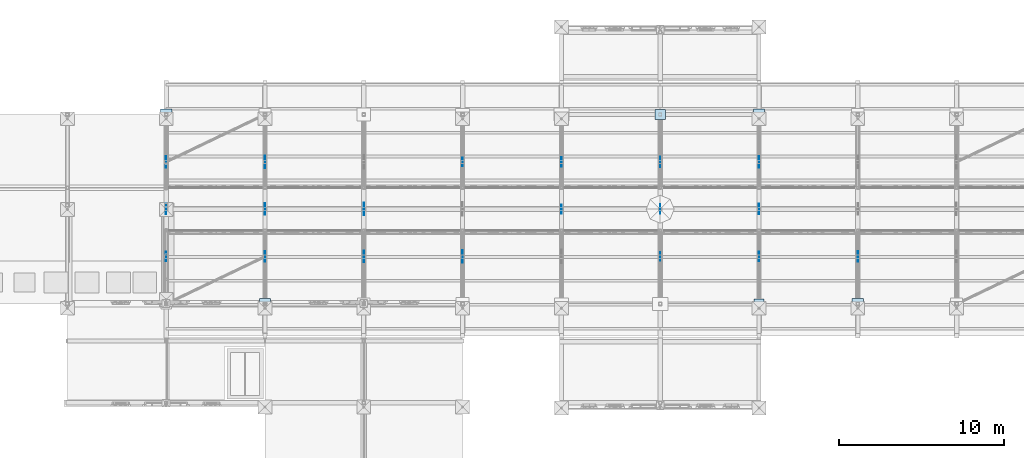
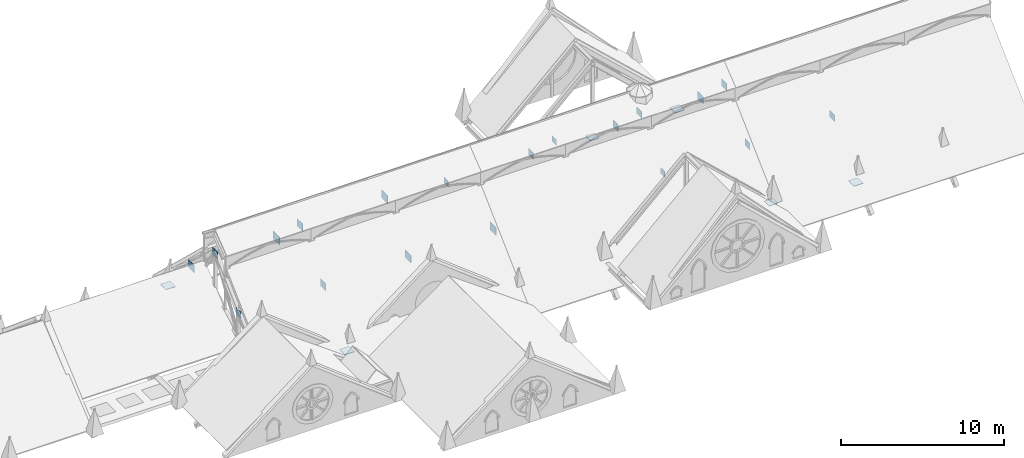
# One storey, part 17 of 33: 25 plates.
"""IFC4 building model written with IfcOpenShell, lengths in metres."""

from ifc_helpers import new_model, si_unit, direction, frame, origin, origin_2d, place, context, subcontext, project, spatial, rectangle, extrude, material, layer, layer_set, type_object, element, save


model = new_model("IFC4")

# Units and contexts
model_context = context("Model", 3, precision=1e-05, world=origin(), true_north=direction((0.0, 1.0)))
body_context = subcontext(model_context, "Body", "Model", "MODEL_VIEW")
ifc_project = project(units=[si_unit("LENGTHUNIT", "METRE"), si_unit("AREAUNIT", "SQUARE_METRE"), si_unit("VOLUMEUNIT", "CUBIC_METRE"), si_unit("PLANEANGLEUNIT", "RADIAN"), si_unit("MASSUNIT", "GRAM", prefix="KILO")], contexts=[model_context])

# Site, building, storey
site_placement = place(None, origin())
site = spatial("IfcSite", under=ifc_project, at=site_placement, CompositionType="ELEMENT")
building_placement = place(site_placement, origin())
building = spatial("IfcBuilding", under=site, at=building_placement, Name="Cumevento Cable Car Station", CompositionType="ELEMENT")
storey_placement = place(building_placement, frame((0.0, 0.0, 22.5)))
storey = spatial("IfcBuildingStorey", under=building, at=storey_placement, Name="RF", CompositionType="ELEMENT", Elevation=22.5)

# Plates
ifc_material_1 = material(Name="Steel ASTM A572 Grade 50", Category="steel")
ifc_layer_1 = layer(ifc_material_1, 0.031982421875)
ifc_layer_set_1 = layer_set([ifc_layer_1], Name="Steel ASTM A572 Grade 50")
plate_type_1 = type_object("IfcPlateType", Name="Steel Plate BP-01 620x620x32", PredefinedType="SHEET", material=ifc_layer_set_1)
for number, where, z_axis, x_axis, name in (
    (1, (94.0, 56.5, 0.60009765625), (0.0, 0.0, 1.0), (1.0, 0.0, 0.0), "Boarding Hall Truss Base Shoe Plate #27"),
    (2, (100.0, 45.0, 0.60009765625), (0.0, 0.0, 1.0), (1.0, 0.0, 0.0), "Boarding Hall Truss Base Shoe Plate #31"),
):
    element("IfcPlate", number, at=place(storey_placement, frame(where, z_axis=z_axis, x_axis=x_axis)), inside=storey, type_object=plate_type_1, Name=name, PredefinedType="SHEET", context=body_context, shape_type="SweptSolid", body=[
        extrude(rectangle(XDim=0.6201171875, YDim=0.6201171875, at=origin_2d()), origin(), (0.0, 0.0, 1.0), 0.031982421875),
    ])
ifc_material_2 = material(Name="Steel ASTM A572 Grade 50", Category="steel")
ifc_layer_2 = layer(ifc_material_2, 0.035888671875)
ifc_layer_set_2 = layer_set([ifc_layer_2], Name="Steel ASTM A572 Grade 50")
plate_type_2 = type_object("IfcPlateType", Name="Steel Plate BP-02 680x680x36", PredefinedType="SHEET", material=ifc_layer_set_2)
for number, where, z_axis, x_axis, name in (
    (3, (64.0, 56.5, 0.0), (0.0, 0.0, 1.0), (1.0, 0.0, 0.0), "Boarding Hall Truss Base Shoe Plate #2"),
    (4, (70.0, 45.0, 0.0), (0.0, 0.0, 1.0), (1.0, 0.0, 0.0), "Boarding Hall Truss Base Shoe Plate #6"),
    (5, (100.0, 56.5, 0.60009765625), (0.0, 0.0, 1.0), (1.0, 0.0, 0.0), "Boarding Hall Truss Base Shoe Plate #32"),
    (6, (106.0, 45.0, 0.0), (0.0, 0.0, 1.0), (1.0, 0.0, 0.0), "Boarding Hall Truss Base Shoe Plate #36"),
):
    element("IfcPlate", number, at=place(storey_placement, frame(where, z_axis=z_axis, x_axis=x_axis)), inside=storey, type_object=plate_type_2, Name=name, PredefinedType="SHEET", context=body_context, shape_type="SweptSolid", body=[
        extrude(rectangle(XDim=0.679931640625, YDim=0.679931640625, at=origin_2d()), origin(), (0.0, 0.0, 1.0), 0.035888671875),
    ])
ifc_material_3 = material(Name="Steel ASTM A572 Grade 50", Category="steel")
ifc_layer_3 = layer(ifc_material_3, 0.02001953125)
ifc_layer_set_3 = layer_set([ifc_layer_3], Name="Steel ASTM A572 Grade 50")
plate_type_3 = type_object("IfcPlateType", Name="Steel Plate GP-01 520x20x440", PredefinedType="USERDEFINED", material=ifc_layer_set_3)
for number, where, z_axis, x_axis, name in (
    (7, (82.0, 53.625, 2.98828125), (0.0, 0.0, 1.0), (0.0, 1.0, 0.0), "Boarding Hall Truss Gusset Plate #20"),
    (8, (88.0, 50.75, 5.716552734375), (0.0, 0.0, 1.0), (0.0, 1.0, 0.0), "Boarding Hall Truss Gusset Plate #24"),
    (9, (94.0, 47.875, 2.98828125), (0.0, 0.0, 1.0), (0.0, 1.0, 0.0), "Boarding Hall Truss Gusset Plate #28"),
):
    element("IfcPlate", number, at=place(storey_placement, frame(where, z_axis=z_axis, x_axis=x_axis)), inside=storey, type_object=plate_type_3, Name=name, ObjectType="GUSSET_PLATE", PredefinedType="USERDEFINED", context=body_context, shape_type="SweptSolid", body=[
        extrude(rectangle(XDim=0.52001953125, YDim=0.02001953125, at=origin_2d()), origin(), (0.0, 0.0, 1.0), 0.43994140625),
    ])
ifc_material_4 = material(Name="Steel ASTM A572 Grade 50", Category="steel")
ifc_layer_4 = layer(ifc_material_4, 0.02197265625)
ifc_layer_set_4 = layer_set([ifc_layer_4], Name="Steel ASTM A572 Grade 50")
plate_type_4 = type_object("IfcPlateType", Name="Steel Plate GP-02 580x22x480", PredefinedType="USERDEFINED", material=ifc_layer_set_4)
for number, where, z_axis, x_axis, name in (
    (10, (64.0, 47.875, 2.96826171875), (0.0, 0.0, 1.0), (0.0, 1.0, 0.0), "Boarding Hall Truss Gusset Plate #3"),
    (11, (88.0, 53.625, 2.96826171875), (0.0, 0.0, 1.0), (0.0, 1.0, 0.0), "Boarding Hall Truss Gusset Plate #25"),
    (12, (94.0, 50.75, 5.696533203125), (0.0, 0.0, 1.0), (0.0, 1.0, 0.0), "Boarding Hall Truss Gusset Plate #29"),
    (13, (100.0, 47.875, 2.96826171875), (0.0, 0.0, 1.0), (0.0, 1.0, 0.0), "Boarding Hall Truss Gusset Plate #33"),
):
    element("IfcPlate", number, at=place(storey_placement, frame(where, z_axis=z_axis, x_axis=x_axis)), inside=storey, type_object=plate_type_4, Name=name, ObjectType="GUSSET_PLATE", PredefinedType="USERDEFINED", context=body_context, shape_type="SweptSolid", body=[
        extrude(rectangle(XDim=0.580078125, YDim=0.02197265625, at=origin_2d()), origin(), (0.0, 0.0, 1.0), 0.47998046875),
    ])
ifc_material_5 = material(Name="Steel ASTM A572 Grade 50", Category="steel")
ifc_layer_5 = layer(ifc_material_5, 0.02392578125)
ifc_layer_set_5 = layer_set([ifc_layer_5], Name="Steel ASTM A572 Grade 50")
plate_type_5 = type_object("IfcPlateType", Name="Steel Plate GP-03 640x24x520", PredefinedType="USERDEFINED", material=ifc_layer_set_5)
for number, where, z_axis, x_axis, name in (
    (14, (64.0, 50.75, 5.676513671875), (0.0, 0.0, 1.0), (0.0, 1.0, 0.0), "Boarding Hall Truss Gusset Plate #4"),
    (15, (70.0, 47.875, 2.9482421875), (0.0, 0.0, 1.0), (0.0, 1.0, 0.0), "Boarding Hall Truss Gusset Plate #8"),
    (16, (94.0, 53.625, 2.9482421875), (0.0, 0.0, 1.0), (0.0, 1.0, 0.0), "Boarding Hall Truss Gusset Plate #30"),
    (17, (100.0, 50.75, 5.676513671875), (0.0, 0.0, 1.0), (0.0, 1.0, 0.0), "Boarding Hall Truss Gusset Plate #34"),
    (18, (106.0, 47.875, 2.9482421875), (0.0, 0.0, 1.0), (0.0, 1.0, 0.0), "Boarding Hall Truss Gusset Plate #38"),
):
    element("IfcPlate", number, at=place(storey_placement, frame(where, z_axis=z_axis, x_axis=x_axis)), inside=storey, type_object=plate_type_5, Name=name, ObjectType="GUSSET_PLATE", PredefinedType="USERDEFINED", context=body_context, shape_type="SweptSolid", body=[
        extrude(rectangle(XDim=0.639892578125, YDim=0.02392578125, at=origin_2d()), origin(), (0.0, 0.0, 1.0), 0.52001953125),
    ])
ifc_material_6 = material(Name="Steel ASTM A572 Grade 50", Category="steel")
ifc_layer_6 = layer(ifc_material_6, 0.02587890625)
ifc_layer_set_6 = layer_set([ifc_layer_6], Name="Steel ASTM A572 Grade 50")
plate_type_6 = type_object("IfcPlateType", Name="Steel Plate GP-04 700x26x560", PredefinedType="USERDEFINED", material=ifc_layer_set_6)
for number, where, z_axis, x_axis, name in (
    (19, (64.0, 53.625, 2.92822265625), (0.0, 0.0, 1.0), (0.0, 1.0, 0.0), "Boarding Hall Truss Gusset Plate #5"),
    (20, (70.0, 50.75, 5.656494140625), (0.0, 0.0, 1.0), (0.0, 1.0, 0.0), "Boarding Hall Truss Gusset Plate #9"),
    (21, (76.0, 47.875, 2.92822265625), (0.0, 0.0, 1.0), (0.0, 1.0, 0.0), "Boarding Hall Truss Gusset Plate #13"),
    (22, (100.0, 53.625, 2.92822265625), (0.0, 0.0, 1.0), (0.0, 1.0, 0.0), "Boarding Hall Truss Gusset Plate #35"),
):
    element("IfcPlate", number, at=place(storey_placement, frame(where, z_axis=z_axis, x_axis=x_axis)), inside=storey, type_object=plate_type_6, Name=name, ObjectType="GUSSET_PLATE", PredefinedType="USERDEFINED", context=body_context, shape_type="SweptSolid", body=[
        extrude(rectangle(XDim=0.699951171875, YDim=0.02587890625, at=origin_2d()), origin(), (0.0, 0.0, 1.0), 0.56005859375),
    ])
ifc_material_7 = material(Name="Steel ASTM A572 Grade 50", Category="steel")
ifc_layer_7 = layer(ifc_material_7, 0.028076171875)
ifc_layer_set_7 = layer_set([ifc_layer_7], Name="Steel ASTM A572 Grade 50")
plate_type_7 = type_object("IfcPlateType", Name="Steel Plate GP-05 760x28x600", PredefinedType="USERDEFINED", material=ifc_layer_set_7)
for number, where, z_axis, x_axis, name in (
    (23, (70.0, 53.625, 2.908203125), (0.0, 0.0, 1.0), (0.0, 1.0, 0.0), "Boarding Hall Truss Gusset Plate #10"),
    (24, (76.0, 50.75, 5.636474609375), (0.0, 0.0, 1.0), (0.0, 1.0, 0.0), "Boarding Hall Truss Gusset Plate #14"),
    (25, (82.0, 47.875, 2.908203125), (0.0, 0.0, 1.0), (0.0, 1.0, 0.0), "Boarding Hall Truss Gusset Plate #18"),
):
    element("IfcPlate", number, at=place(storey_placement, frame(where, z_axis=z_axis, x_axis=x_axis)), inside=storey, type_object=plate_type_7, Name=name, ObjectType="GUSSET_PLATE", PredefinedType="USERDEFINED", context=body_context, shape_type="SweptSolid", body=[
        extrude(rectangle(XDim=0.760009765625, YDim=0.028076171875, at=origin_2d()), origin(), (0.0, 0.0, 1.0), 0.60009765625),
    ])

save(model, "model.ifc")
